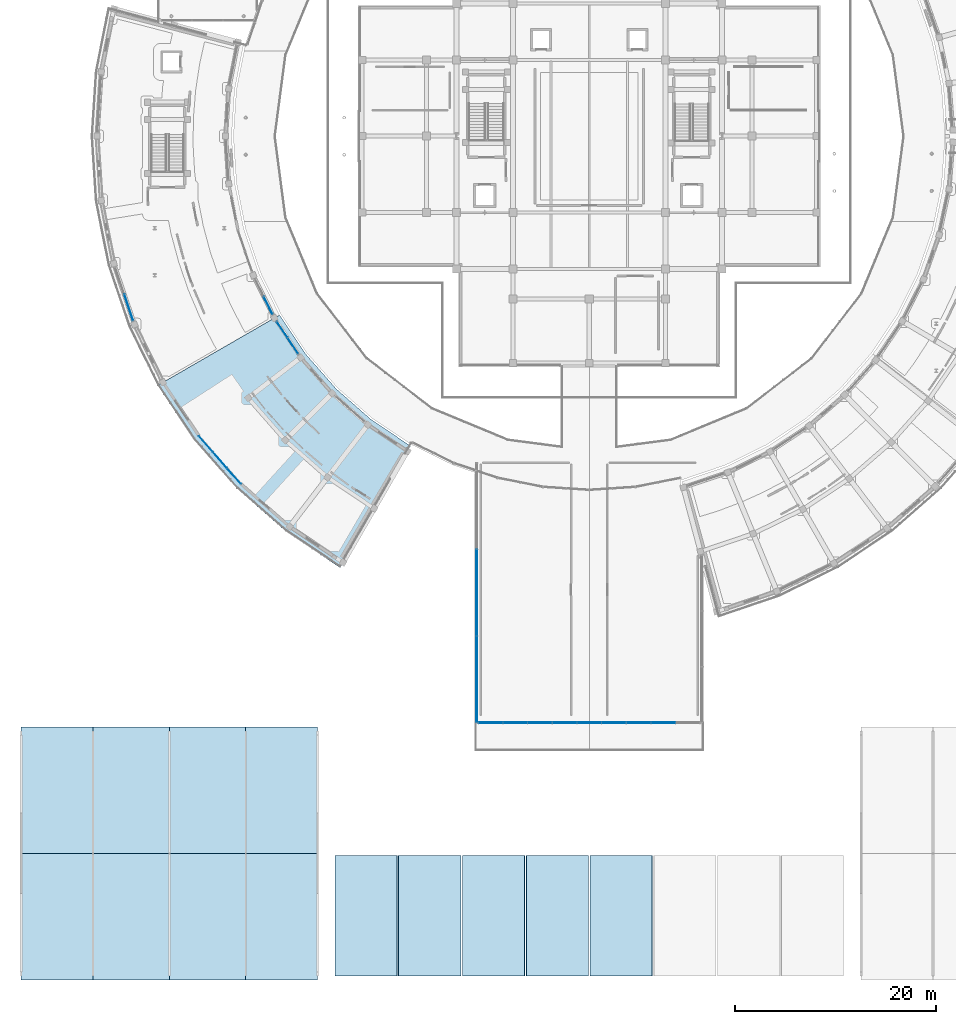
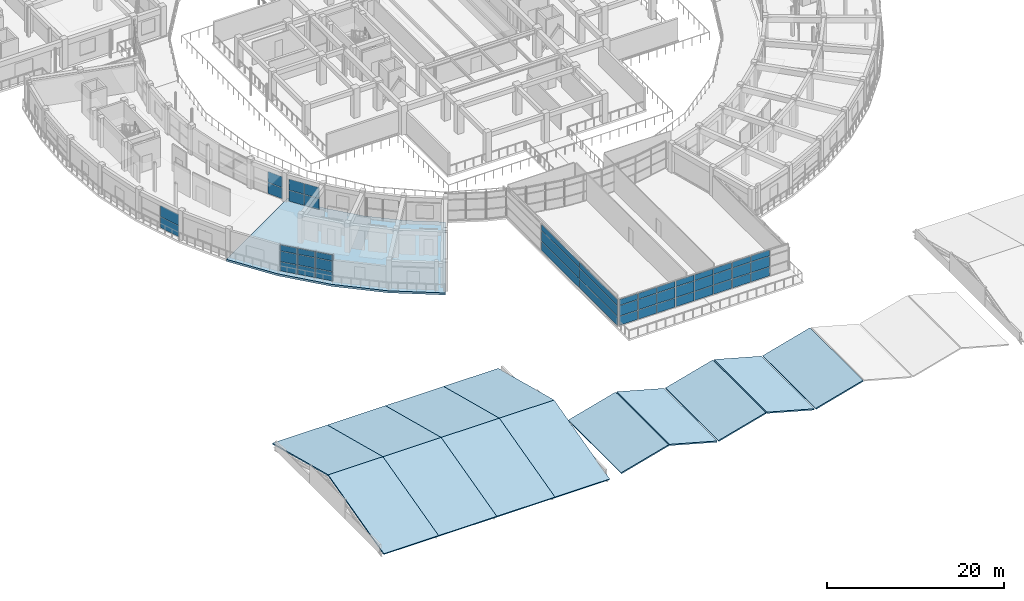
# One storey, part 44 of 83: 47 plates, 14 slabs, 8 elements without a shape of their own.
"""IFC4 building model written with IfcOpenShell, lengths in metres."""

from ifc_helpers import new_model, si_unit, direction, frame, origin, origin_2d, place, context, subcontext, project, spatial, polyline, rectangle, outline, extrude, material, layer, layer_set, type_object, element, aggregate, save


model = new_model("IFC4")

# Units and contexts
model_context = context("Model", 3, precision=1e-05, world=origin(), true_north=direction((0.0, 1.0)))
body_context = subcontext(model_context, "Body", "Model", "MODEL_VIEW")
ifc_project = project(units=[si_unit("LENGTHUNIT", "METRE"), si_unit("AREAUNIT", "SQUARE_METRE"), si_unit("VOLUMEUNIT", "CUBIC_METRE"), si_unit("PLANEANGLEUNIT", "RADIAN"), si_unit("MASSUNIT", "GRAM", prefix="KILO")], contexts=[model_context])

# Site, building, storey
site_placement = place(None, origin())
site = spatial("IfcSite", under=ifc_project, at=site_placement, CompositionType="ELEMENT")
building_placement = place(site_placement, origin())
building = spatial("IfcBuilding", under=site, at=building_placement, Name="Saryqyr Civic Hall", CompositionType="ELEMENT")
storey_placement = place(building_placement, frame((0.0, 0.0, 9.14990234375)))
storey = spatial("IfcBuildingStorey", under=building, at=storey_placement, Name="L02", CompositionType="ELEMENT", Elevation=9.14990234375)

# Curtain wall, plates
ifc_material_1 = material(Name="Anodised aluminium and triple low-E glass", Category="aluminium")
curtain_wall_type_1 = type_object("IfcCurtainWallType", Name="ENV-CW-STD-23", PredefinedType="NOTDEFINED", material=ifc_material_1)
curtain_wall_1_placement = place(storey_placement, origin())
curtain_wall_1 = element("IfcCurtainWall", 1, at=curtain_wall_1_placement, inside=storey, type_object=curtain_wall_type_1, Name="Curtain wall V4-CWO-L02-04", PredefinedType="NOTDEFINED")
ifc_material_2 = material(Name="Triple low-E insulated glazing", Category="glass")
ifc_layer_1 = layer(ifc_material_2, 0.053955078125, Name="Triple low-E insulated glazing")
ifc_layer_set_1 = layer_set([ifc_layer_1], Name="Triple low-E insulated glazing")
plate_type_1 = type_object("IfcPlateType", Name="ENV-CW-PNL-38", PredefinedType="CURTAIN_PANEL", material=ifc_layer_set_1)
plate_1_placement = place(storey_placement, frame((11.15234375, 66.949951171875, 0.06005859375), z_axis=(0.0, 0.0, 1.0), x_axis=(-0.321446589179, 0.946927711235, 0.0)))
plate_1 = element("IfcPlate", 2, at=plate_1_placement, type_object=plate_type_1, Name="CW-23 panel 1.1", PredefinedType="CURTAIN_PANEL", context=body_context, shape_type="SweptSolid", body=[
    extrude(rectangle(XDim=2.755615234375, YDim=0.053955078125, at=origin_2d()), origin(), (0.0, 0.0, 1.0), 1.491943359375),
])
plate_2_placement = place(storey_placement, frame((11.15234375, 66.949951171875, 1.6123046875), z_axis=(0.0, 0.0, 1.0), x_axis=(-0.321446589179, 0.946927711235, 0.0)))
plate_2 = element("IfcPlate", 3, at=plate_2_placement, type_object=plate_type_1, Name="CW-23 panel 1.2", PredefinedType="CURTAIN_PANEL", context=body_context, shape_type="SweptSolid", body=[
    extrude(rectangle(XDim=2.755615234375, YDim=0.053955078125, at=origin_2d()), origin(), (0.0, 0.0, 1.0), 1.492919921875),
])
aggregate(curtain_wall_1, [plate_1, plate_2])

curtain_wall_type_2 = type_object("IfcCurtainWallType", Name="ENV-CW-STD-21", PredefinedType="NOTDEFINED", material=ifc_material_1)
curtain_wall_2_placement = place(storey_placement, origin())
curtain_wall_2 = element("IfcCurtainWall", 4, at=curtain_wall_2_placement, inside=storey, type_object=curtain_wall_type_2, Name="Curtain wall V4-CWI-L02-05", PredefinedType="NOTDEFINED")
plate_3_placement = place(storey_placement, frame((25.035888671875, 67.145263671875, 0.06005859375), z_axis=(0.0, 0.0, 1.0), x_axis=(0.44226837931, -0.896882757479, 0.0)))
plate_3 = element("IfcPlate", 5, at=plate_3_placement, type_object=plate_type_1, Name="CW-21 panel 2.1", PredefinedType="CURTAIN_PANEL", context=body_context, shape_type="SweptSolid", body=[
    extrude(rectangle(XDim=1.8984375, YDim=0.053955078125, at=origin_2d()), origin(), (0.0, 0.0, 1.0), 1.491943359375),
])
plate_4_placement = place(storey_placement, frame((25.035888671875, 67.145263671875, 1.6123046875), z_axis=(0.0, 0.0, 1.0), x_axis=(0.44226837931, -0.896882757479, 0.0)))
plate_4 = element("IfcPlate", 6, at=plate_4_placement, type_object=plate_type_1, Name="CW-21 panel 2.2", PredefinedType="CURTAIN_PANEL", context=body_context, shape_type="SweptSolid", body=[
    extrude(rectangle(XDim=1.8984375, YDim=0.053955078125, at=origin_2d()), origin(), (0.0, 0.0, 1.0), 1.492919921875),
])
aggregate(curtain_wall_2, [plate_3, plate_4])

curtain_wall_type_3 = type_object("IfcCurtainWallType", Name="ENV-CW-STD-25", PredefinedType="NOTDEFINED", material=ifc_material_1)
curtain_wall_3_placement = place(storey_placement, origin())
curtain_wall_3 = element("IfcCurtainWall", 7, at=curtain_wall_3_placement, inside=storey, type_object=curtain_wall_type_3, Name="Curtain wall V4-CWI-L02-06", PredefinedType="NOTDEFINED")
plate_5_placement = place(storey_placement, frame((26.429443359375, 64.733154296875, 0.06005859375), z_axis=(0.0, 0.0, 1.0), x_axis=(0.555554091972, -0.831480397179, 0.0)))
plate_5 = element("IfcPlate", 8, at=plate_5_placement, type_object=plate_type_1, Name="CW-25 panel 1.1", PredefinedType="CURTAIN_PANEL", context=body_context, shape_type="SweptSolid", body=[
    extrude(rectangle(XDim=1.86865234375, YDim=0.053955078125, at=origin_2d()), origin(), (0.0, 0.0, 1.0), 1.491943359375),
])
plate_6_placement = place(storey_placement, frame((26.429443359375, 64.733154296875, 1.6123046875), z_axis=(0.0, 0.0, 1.0), x_axis=(0.555554091972, -0.831480397179, 0.0)))
plate_6 = element("IfcPlate", 9, at=plate_6_placement, type_object=plate_type_1, Name="CW-25 panel 1.2", PredefinedType="CURTAIN_PANEL", context=body_context, shape_type="SweptSolid", body=[
    extrude(rectangle(XDim=1.86865234375, YDim=0.053955078125, at=origin_2d()), origin(), (0.0, 0.0, 1.0), 1.492919921875),
])
plate_7_placement = place(storey_placement, frame((27.5009765625, 63.129638671875, 0.06005859375), z_axis=(0.0, 0.0, 1.0), x_axis=(0.555554091972, -0.831480397179, 0.0)))
plate_7 = element("IfcPlate", 10, at=plate_7_placement, type_object=plate_type_1, Name="CW-25 panel 2.1", PredefinedType="CURTAIN_PANEL", context=body_context, shape_type="SweptSolid", body=[
    extrude(rectangle(XDim=1.86865234375, YDim=0.053955078125, at=origin_2d()), origin(), (0.0, 0.0, 1.0), 1.491943359375),
])
plate_8_placement = place(storey_placement, frame((27.5009765625, 63.129638671875, 1.6123046875), z_axis=(0.0, 0.0, 1.0), x_axis=(0.555554091972, -0.831480397179, 0.0)))
plate_8 = element("IfcPlate", 11, at=plate_8_placement, type_object=plate_type_1, Name="CW-25 panel 2.2", PredefinedType="CURTAIN_PANEL", context=body_context, shape_type="SweptSolid", body=[
    extrude(rectangle(XDim=1.86865234375, YDim=0.053955078125, at=origin_2d()), origin(), (0.0, 0.0, 1.0), 1.492919921875),
])
aggregate(curtain_wall_3, [plate_5, plate_6, plate_7, plate_8])

curtain_wall_type_4 = type_object("IfcCurtainWallType", Name="ENV-CW-STD-26", PredefinedType="NOTDEFINED", material=ifc_material_1)
curtain_wall_4_placement = place(storey_placement, origin())
curtain_wall_4 = element("IfcCurtainWall", 12, at=curtain_wall_4_placement, inside=storey, type_object=curtain_wall_type_4, Name="Curtain wall V4-CWO-L02-07", PredefinedType="NOTDEFINED")
plate_9_placement = place(storey_placement, frame((21.637451171875, 50.166259765625, 0.06005859375), z_axis=(0.0, 0.0, 1.0), x_axis=(-0.659349177167, 0.751836859012, 0.0)))
plate_9 = element("IfcPlate", 13, at=plate_9_placement, type_object=plate_type_1, Name="CW-26 panel 1.1", PredefinedType="CURTAIN_PANEL", context=body_context, shape_type="SweptSolid", body=[
    extrude(rectangle(XDim=2.04638671875, YDim=0.053955078125, at=origin_2d()), origin(), (0.0, 0.0, 1.0), 1.241943359375),
])
plate_10_placement = place(storey_placement, frame((21.637451171875, 50.166259765625, 1.362060546875), z_axis=(0.0, 0.0, 1.0), x_axis=(-0.659349177167, 0.751836859012, 0.0)))
plate_10 = element("IfcPlate", 14, at=plate_10_placement, type_object=plate_type_1, Name="CW-26 panel 1.2", PredefinedType="CURTAIN_PANEL", context=body_context, shape_type="SweptSolid", body=[
    extrude(rectangle(XDim=2.04638671875, YDim=0.053955078125, at=origin_2d()), origin(), (0.0, 0.0, 1.0), 1.419921875),
])
plate_11_placement = place(storey_placement, frame((21.637451171875, 50.166259765625, 2.84228515625), z_axis=(0.0, 0.0, 1.0), x_axis=(-0.659349177167, 0.751836859012, 0.0)))
plate_11 = element("IfcPlate", 15, at=plate_11_placement, type_object=plate_type_1, Name="CW-26 panel 1.3", PredefinedType="CURTAIN_PANEL", context=body_context, shape_type="SweptSolid", body=[
    extrude(rectangle(XDim=2.04638671875, YDim=0.053955078125, at=origin_2d()), origin(), (0.0, 0.0, 1.0), 0.798095703125),
])
plate_12_placement = place(storey_placement, frame((20.23876953125, 51.76123046875, 0.06005859375), z_axis=(0.0, 0.0, 1.0), x_axis=(-0.659349177167, 0.751836859012, 0.0)))
plate_12 = element("IfcPlate", 16, at=plate_12_placement, type_object=plate_type_1, Name="CW-26 panel 2.1", PredefinedType="CURTAIN_PANEL", context=body_context, shape_type="SweptSolid", body=[
    extrude(rectangle(XDim=2.076416015625, YDim=0.053955078125, at=origin_2d()), origin(), (0.0, 0.0, 1.0), 1.241943359375),
])
plate_13_placement = place(storey_placement, frame((20.23876953125, 51.76123046875, 1.362060546875), z_axis=(0.0, 0.0, 1.0), x_axis=(-0.659349177167, 0.751836859012, 0.0)))
plate_13 = element("IfcPlate", 17, at=plate_13_placement, type_object=plate_type_1, Name="CW-26 panel 2.2", PredefinedType="CURTAIN_PANEL", context=body_context, shape_type="SweptSolid", body=[
    extrude(rectangle(XDim=2.076416015625, YDim=0.053955078125, at=origin_2d()), origin(), (0.0, 0.0, 1.0), 1.419921875),
])
plate_14_placement = place(storey_placement, frame((20.23876953125, 51.76123046875, 2.84228515625), z_axis=(0.0, 0.0, 1.0), x_axis=(-0.659349177167, 0.751836859012, 0.0)))
plate_14 = element("IfcPlate", 18, at=plate_14_placement, type_object=plate_type_1, Name="CW-26 panel 2.3", PredefinedType="CURTAIN_PANEL", context=body_context, shape_type="SweptSolid", body=[
    extrude(rectangle(XDim=2.076416015625, YDim=0.053955078125, at=origin_2d()), origin(), (0.0, 0.0, 1.0), 0.798095703125),
])
plate_15_placement = place(storey_placement, frame((18.83984375, 53.356201171875, 0.06005859375), z_axis=(0.0, 0.0, 1.0), x_axis=(-0.659349177167, 0.751836859012, 0.0)))
plate_15 = element("IfcPlate", 19, at=plate_15_placement, type_object=plate_type_1, Name="CW-26 panel 3.1", PredefinedType="CURTAIN_PANEL", context=body_context, shape_type="SweptSolid", body=[
    extrude(rectangle(XDim=2.04638671875, YDim=0.053955078125, at=origin_2d()), origin(), (0.0, 0.0, 1.0), 1.241943359375),
])
plate_16_placement = place(storey_placement, frame((18.83984375, 53.356201171875, 1.362060546875), z_axis=(0.0, 0.0, 1.0), x_axis=(-0.659349177167, 0.751836859012, 0.0)))
plate_16 = element("IfcPlate", 20, at=plate_16_placement, type_object=plate_type_1, Name="CW-26 panel 3.2", PredefinedType="CURTAIN_PANEL", context=body_context, shape_type="SweptSolid", body=[
    extrude(rectangle(XDim=2.04638671875, YDim=0.053955078125, at=origin_2d()), origin(), (0.0, 0.0, 1.0), 1.419921875),
])
plate_17_placement = place(storey_placement, frame((18.83984375, 53.356201171875, 2.84228515625), z_axis=(0.0, 0.0, 1.0), x_axis=(-0.659349177167, 0.751836859012, 0.0)))
plate_17 = element("IfcPlate", 21, at=plate_17_placement, type_object=plate_type_1, Name="CW-26 panel 3.3", PredefinedType="CURTAIN_PANEL", context=body_context, shape_type="SweptSolid", body=[
    extrude(rectangle(XDim=2.04638671875, YDim=0.053955078125, at=origin_2d()), origin(), (0.0, 0.0, 1.0), 0.798095703125),
])
aggregate(curtain_wall_4, [plate_9, plate_10, plate_11, plate_12, plate_13, plate_14, plate_15, plate_16, plate_17])

curtain_wall_type_5 = type_object("IfcCurtainWallType", Name="ENV-CW-STD-70", PredefinedType="NOTDEFINED", material=ifc_material_1)
curtain_wall_5_placement = place(storey_placement, origin())
curtain_wall_5 = element("IfcCurtainWall", 22, at=curtain_wall_5_placement, inside=storey, type_object=curtain_wall_type_5, Name="Curtain wall V2-VESTFLK-SW-L02", PredefinedType="NOTDEFINED")
plate_18_placement = place(storey_placement, frame((45.800048828125, 29.93994140625, 0.06005859375), z_axis=(0.0, 0.0, 1.0), x_axis=(0.0, 1.0, 0.0)))
plate_18 = element("IfcPlate", 23, at=plate_18_placement, type_object=plate_type_1, Name="CW-70 panel 1.1", PredefinedType="CURTAIN_PANEL", context=body_context, shape_type="SweptSolid", body=[
    extrude(rectangle(XDim=8.5400390625, YDim=0.053955078125, at=origin_2d()), origin(), (0.0, 0.0, 1.0), 1.241943359375),
])
plate_19_placement = place(storey_placement, frame((45.800048828125, 29.93994140625, 1.362060546875), z_axis=(0.0, 0.0, 1.0), x_axis=(0.0, 1.0, 0.0)))
plate_19 = element("IfcPlate", 24, at=plate_19_placement, type_object=plate_type_1, Name="CW-70 panel 1.2", PredefinedType="CURTAIN_PANEL", context=body_context, shape_type="SweptSolid", body=[
    extrude(rectangle(XDim=8.5400390625, YDim=0.053955078125, at=origin_2d()), origin(), (0.0, 0.0, 1.0), 1.419921875),
])
plate_20_placement = place(storey_placement, frame((45.800048828125, 29.93994140625, 2.84228515625), z_axis=(0.0, 0.0, 1.0), x_axis=(0.0, 1.0, 0.0)))
plate_20 = element("IfcPlate", 25, at=plate_20_placement, type_object=plate_type_1, Name="CW-70 panel 1.3", PredefinedType="CURTAIN_PANEL", context=body_context, shape_type="SweptSolid", body=[
    extrude(rectangle(XDim=8.5400390625, YDim=0.053955078125, at=origin_2d()), origin(), (0.0, 0.0, 1.0), 0.798095703125),
])
plate_21_placement = place(storey_placement, frame((45.800048828125, 38.554931640625, 0.06005859375), z_axis=(0.0, 0.0, 1.0), x_axis=(0.0, 1.0, 0.0)))
plate_21 = element("IfcPlate", 26, at=plate_21_placement, type_object=plate_type_1, Name="CW-70 panel 2.1", PredefinedType="CURTAIN_PANEL", context=body_context, shape_type="SweptSolid", body=[
    extrude(rectangle(XDim=8.570068359375, YDim=0.053955078125, at=origin_2d()), origin(), (0.0, 0.0, 1.0), 1.241943359375),
])
plate_22_placement = place(storey_placement, frame((45.800048828125, 38.554931640625, 1.362060546875), z_axis=(0.0, 0.0, 1.0), x_axis=(0.0, 1.0, 0.0)))
plate_22 = element("IfcPlate", 27, at=plate_22_placement, type_object=plate_type_1, Name="CW-70 panel 2.2", PredefinedType="CURTAIN_PANEL", context=body_context, shape_type="SweptSolid", body=[
    extrude(rectangle(XDim=8.570068359375, YDim=0.053955078125, at=origin_2d()), origin(), (0.0, 0.0, 1.0), 1.419921875),
])
plate_23_placement = place(storey_placement, frame((45.800048828125, 38.554931640625, 2.84228515625), z_axis=(0.0, 0.0, 1.0), x_axis=(0.0, 1.0, 0.0)))
plate_23 = element("IfcPlate", 28, at=plate_23_placement, type_object=plate_type_1, Name="CW-70 panel 2.3", PredefinedType="CURTAIN_PANEL", context=body_context, shape_type="SweptSolid", body=[
    extrude(rectangle(XDim=8.570068359375, YDim=0.053955078125, at=origin_2d()), origin(), (0.0, 0.0, 1.0), 0.798095703125),
])
aggregate(curtain_wall_5, [plate_18, plate_19, plate_20, plate_21, plate_22, plate_23])

curtain_wall_type_6 = type_object("IfcCurtainWallType", Name="ENV-CW-HVY-69", PredefinedType="NOTDEFINED", material=ifc_material_1)
curtain_wall_6_placement = place(storey_placement, origin())
curtain_wall_6 = element("IfcCurtainWall", 29, at=curtain_wall_6_placement, inside=storey, type_object=curtain_wall_type_6, Name="Curtain wall V2-PORTAL-CW-S-L02-0", PredefinedType="NOTDEFINED")
ifc_material_3 = material(Name="Acoustic laminated low-E glazing", Category="glass")
ifc_layer_2 = layer(ifc_material_3, 0.072021484375, Name="Acoustic laminated low-E glazing")
ifc_layer_set_2 = layer_set([ifc_layer_2], Name="Acoustic laminated low-E glazing")
plate_type_2 = type_object("IfcPlateType", Name="ENV-CW-PNL-52", PredefinedType="CURTAIN_PANEL", material=ifc_layer_set_2)
plate_24_placement = place(storey_placement, frame((52.071533203125, 25.610107421875, 0.070068359375), z_axis=(0.0, 0.0, 1.0), x_axis=(-1.0, 0.0, 0.0)))
plate_24 = element("IfcPlate", 30, at=plate_24_placement, type_object=plate_type_2, Name="CW-69 panel 1.1", PredefinedType="CURTAIN_PANEL", context=body_context, shape_type="SweptSolid", body=[
    extrude(rectangle(XDim=2.3505859375, YDim=0.072021484375, at=origin_2d()), origin(), (0.0, 0.0, 1.0), 1.22705078125),
])
plate_25_placement = place(storey_placement, frame((52.071533203125, 25.610107421875, 1.3671875), z_axis=(0.0, 0.0, 1.0), x_axis=(-1.0, 0.0, 0.0)))
plate_25 = element("IfcPlate", 31, at=plate_25_placement, type_object=plate_type_2, Name="CW-69 panel 1.2", PredefinedType="CURTAIN_PANEL", context=body_context, shape_type="SweptSolid", body=[
    extrude(rectangle(XDim=2.3505859375, YDim=0.072021484375, at=origin_2d()), origin(), (0.0, 0.0, 1.0), 1.409912109375),
])
plate_26_placement = place(storey_placement, frame((52.071533203125, 25.610107421875, 2.84716796875), z_axis=(0.0, 0.0, 1.0), x_axis=(-1.0, 0.0, 0.0)))
plate_26 = element("IfcPlate", 32, at=plate_26_placement, type_object=plate_type_2, Name="CW-69 panel 1.3", PredefinedType="CURTAIN_PANEL", context=body_context, shape_type="SweptSolid", body=[
    extrude(rectangle(XDim=2.3505859375, YDim=0.072021484375, at=origin_2d()), origin(), (0.0, 0.0, 1.0), 0.782958984375),
])
plate_27_placement = place(storey_placement, frame((49.63330078125, 25.610107421875, 0.070068359375), z_axis=(0.0, 0.0, 1.0), x_axis=(-1.0, 0.0, 0.0)))
plate_27 = element("IfcPlate", 33, at=plate_27_placement, type_object=plate_type_2, Name="CW-69 panel 2.1", PredefinedType="CURTAIN_PANEL", context=body_context, shape_type="SweptSolid", body=[
    extrude(rectangle(XDim=2.385498046875, YDim=0.072021484375, at=origin_2d()), origin(), (0.0, 0.0, 1.0), 1.22705078125),
])
plate_28_placement = place(storey_placement, frame((49.63330078125, 25.610107421875, 1.3671875), z_axis=(0.0, 0.0, 1.0), x_axis=(-1.0, 0.0, 0.0)))
plate_28 = element("IfcPlate", 34, at=plate_28_placement, type_object=plate_type_2, Name="CW-69 panel 2.2", PredefinedType="CURTAIN_PANEL", context=body_context, shape_type="SweptSolid", body=[
    extrude(rectangle(XDim=2.385498046875, YDim=0.072021484375, at=origin_2d()), origin(), (0.0, 0.0, 1.0), 1.409912109375),
])
plate_29_placement = place(storey_placement, frame((49.63330078125, 25.610107421875, 2.84716796875), z_axis=(0.0, 0.0, 1.0), x_axis=(-1.0, 0.0, 0.0)))
plate_29 = element("IfcPlate", 35, at=plate_29_placement, type_object=plate_type_2, Name="CW-69 panel 2.3", PredefinedType="CURTAIN_PANEL", context=body_context, shape_type="SweptSolid", body=[
    extrude(rectangle(XDim=2.385498046875, YDim=0.072021484375, at=origin_2d()), origin(), (0.0, 0.0, 1.0), 0.782958984375),
])
plate_30_placement = place(storey_placement, frame((47.1953125, 25.610107421875, 0.070068359375), z_axis=(0.0, 0.0, 1.0), x_axis=(-1.0, 0.0, 0.0)))
plate_30 = element("IfcPlate", 36, at=plate_30_placement, type_object=plate_type_2, Name="CW-69 panel 3.1", PredefinedType="CURTAIN_PANEL", context=body_context, shape_type="SweptSolid", body=[
    extrude(rectangle(XDim=2.3505859375, YDim=0.072021484375, at=origin_2d()), origin(), (0.0, 0.0, 1.0), 1.22705078125),
])
plate_31_placement = place(storey_placement, frame((47.1953125, 25.610107421875, 1.3671875), z_axis=(0.0, 0.0, 1.0), x_axis=(-1.0, 0.0, 0.0)))
plate_31 = element("IfcPlate", 37, at=plate_31_placement, type_object=plate_type_2, Name="CW-69 panel 3.2", PredefinedType="CURTAIN_PANEL", context=body_context, shape_type="SweptSolid", body=[
    extrude(rectangle(XDim=2.3505859375, YDim=0.072021484375, at=origin_2d()), origin(), (0.0, 0.0, 1.0), 1.409912109375),
])
plate_32_placement = place(storey_placement, frame((47.1953125, 25.610107421875, 2.84716796875), z_axis=(0.0, 0.0, 1.0), x_axis=(-1.0, 0.0, 0.0)))
plate_32 = element("IfcPlate", 38, at=plate_32_placement, type_object=plate_type_2, Name="CW-69 panel 3.3", PredefinedType="CURTAIN_PANEL", context=body_context, shape_type="SweptSolid", body=[
    extrude(rectangle(XDim=2.3505859375, YDim=0.072021484375, at=origin_2d()), origin(), (0.0, 0.0, 1.0), 0.782958984375),
])
aggregate(curtain_wall_6, [plate_24, plate_25, plate_26, plate_27, plate_28, plate_29, plate_30, plate_31, plate_32])

curtain_wall_7_placement = place(storey_placement, origin())
curtain_wall_7 = element("IfcCurtainWall", 39, at=curtain_wall_7_placement, inside=storey, type_object=curtain_wall_type_6, Name="Curtain wall V2-PORTAL-CW-S-L02-1", PredefinedType="NOTDEFINED")
plate_33_placement = place(storey_placement, frame((59.43798828125, 25.610107421875, 0.070068359375), z_axis=(0.0, 0.0, 1.0), x_axis=(-1.0, 0.0, 0.0)))
plate_33 = element("IfcPlate", 40, at=plate_33_placement, type_object=plate_type_2, Name="CW-69 panel 1.1", PredefinedType="CURTAIN_PANEL", context=body_context, shape_type="SweptSolid", body=[
    extrude(rectangle(XDim=2.3505859375, YDim=0.072021484375, at=origin_2d()), origin(), (0.0, 0.0, 1.0), 1.22705078125),
])
plate_34_placement = place(storey_placement, frame((59.43798828125, 25.610107421875, 1.3671875), z_axis=(0.0, 0.0, 1.0), x_axis=(-1.0, 0.0, 0.0)))
plate_34 = element("IfcPlate", 41, at=plate_34_placement, type_object=plate_type_2, Name="CW-69 panel 1.2", PredefinedType="CURTAIN_PANEL", context=body_context, shape_type="SweptSolid", body=[
    extrude(rectangle(XDim=2.3505859375, YDim=0.072021484375, at=origin_2d()), origin(), (0.0, 0.0, 1.0), 1.409912109375),
])
plate_35_placement = place(storey_placement, frame((59.43798828125, 25.610107421875, 2.84716796875), z_axis=(0.0, 0.0, 1.0), x_axis=(-1.0, 0.0, 0.0)))
plate_35 = element("IfcPlate", 42, at=plate_35_placement, type_object=plate_type_2, Name="CW-69 panel 1.3", PredefinedType="CURTAIN_PANEL", context=body_context, shape_type="SweptSolid", body=[
    extrude(rectangle(XDim=2.3505859375, YDim=0.072021484375, at=origin_2d()), origin(), (0.0, 0.0, 1.0), 0.782958984375),
])
plate_36_placement = place(storey_placement, frame((57.0, 25.610107421875, 0.070068359375), z_axis=(0.0, 0.0, 1.0), x_axis=(-1.0, 0.0, 0.0)))
plate_36 = element("IfcPlate", 43, at=plate_36_placement, type_object=plate_type_2, Name="CW-69 panel 2.1", PredefinedType="CURTAIN_PANEL", context=body_context, shape_type="SweptSolid", body=[
    extrude(rectangle(XDim=2.385498046875, YDim=0.072021484375, at=origin_2d()), origin(), (0.0, 0.0, 1.0), 1.22705078125),
])
plate_37_placement = place(storey_placement, frame((57.0, 25.610107421875, 1.3671875), z_axis=(0.0, 0.0, 1.0), x_axis=(-1.0, 0.0, 0.0)))
plate_37 = element("IfcPlate", 44, at=plate_37_placement, type_object=plate_type_2, Name="CW-69 panel 2.2", PredefinedType="CURTAIN_PANEL", context=body_context, shape_type="SweptSolid", body=[
    extrude(rectangle(XDim=2.385498046875, YDim=0.072021484375, at=origin_2d()), origin(), (0.0, 0.0, 1.0), 1.409912109375),
])
plate_38_placement = place(storey_placement, frame((57.0, 25.610107421875, 2.84716796875), z_axis=(0.0, 0.0, 1.0), x_axis=(-1.0, 0.0, 0.0)))
plate_38 = element("IfcPlate", 45, at=plate_38_placement, type_object=plate_type_2, Name="CW-69 panel 2.3", PredefinedType="CURTAIN_PANEL", context=body_context, shape_type="SweptSolid", body=[
    extrude(rectangle(XDim=2.385498046875, YDim=0.072021484375, at=origin_2d()), origin(), (0.0, 0.0, 1.0), 0.782958984375),
])
plate_39_placement = place(storey_placement, frame((54.56201171875, 25.610107421875, 0.070068359375), z_axis=(0.0, 0.0, 1.0), x_axis=(-1.0, 0.0, 0.0)))
plate_39 = element("IfcPlate", 46, at=plate_39_placement, type_object=plate_type_2, Name="CW-69 panel 3.1", PredefinedType="CURTAIN_PANEL", context=body_context, shape_type="SweptSolid", body=[
    extrude(rectangle(XDim=2.3505859375, YDim=0.072021484375, at=origin_2d()), origin(), (0.0, 0.0, 1.0), 1.22705078125),
])
plate_40_placement = place(storey_placement, frame((54.56201171875, 25.610107421875, 1.3671875), z_axis=(0.0, 0.0, 1.0), x_axis=(-1.0, 0.0, 0.0)))
plate_40 = element("IfcPlate", 47, at=plate_40_placement, type_object=plate_type_2, Name="CW-69 panel 3.2", PredefinedType="CURTAIN_PANEL", context=body_context, shape_type="SweptSolid", body=[
    extrude(rectangle(XDim=2.3505859375, YDim=0.072021484375, at=origin_2d()), origin(), (0.0, 0.0, 1.0), 1.409912109375),
])
plate_41_placement = place(storey_placement, frame((54.56201171875, 25.610107421875, 2.84716796875), z_axis=(0.0, 0.0, 1.0), x_axis=(-1.0, 0.0, 0.0)))
plate_41 = element("IfcPlate", 48, at=plate_41_placement, type_object=plate_type_2, Name="CW-69 panel 3.3", PredefinedType="CURTAIN_PANEL", context=body_context, shape_type="SweptSolid", body=[
    extrude(rectangle(XDim=2.3505859375, YDim=0.072021484375, at=origin_2d()), origin(), (0.0, 0.0, 1.0), 0.782958984375),
])
aggregate(curtain_wall_7, [plate_33, plate_34, plate_35, plate_36, plate_37, plate_38, plate_39, plate_40, plate_41])

curtain_wall_8_placement = place(storey_placement, origin())
curtain_wall_8 = element("IfcCurtainWall", 49, at=curtain_wall_8_placement, inside=storey, type_object=curtain_wall_type_6, Name="Curtain wall V2-PORTAL-CW-S-L02-2", PredefinedType="NOTDEFINED")
plate_42_placement = place(storey_placement, frame((64.36669921875, 25.610107421875, 0.070068359375), z_axis=(0.0, 0.0, 1.0), x_axis=(-1.0, 0.0, 0.0)))
plate_42 = element("IfcPlate", 50, at=plate_42_placement, type_object=plate_type_2, Name="CW-69 panel 2.1", PredefinedType="CURTAIN_PANEL", context=body_context, shape_type="SweptSolid", body=[
    extrude(rectangle(XDim=2.385498046875, YDim=0.072021484375, at=origin_2d()), origin(), (0.0, 0.0, 1.0), 1.22705078125),
])
plate_43_placement = place(storey_placement, frame((64.36669921875, 25.610107421875, 1.3671875), z_axis=(0.0, 0.0, 1.0), x_axis=(-1.0, 0.0, 0.0)))
plate_43 = element("IfcPlate", 51, at=plate_43_placement, type_object=plate_type_2, Name="CW-69 panel 2.2", PredefinedType="CURTAIN_PANEL", context=body_context, shape_type="SweptSolid", body=[
    extrude(rectangle(XDim=2.385498046875, YDim=0.072021484375, at=origin_2d()), origin(), (0.0, 0.0, 1.0), 1.409912109375),
])
plate_44_placement = place(storey_placement, frame((64.36669921875, 25.610107421875, 2.84716796875), z_axis=(0.0, 0.0, 1.0), x_axis=(-1.0, 0.0, 0.0)))
plate_44 = element("IfcPlate", 52, at=plate_44_placement, type_object=plate_type_2, Name="CW-69 panel 2.3", PredefinedType="CURTAIN_PANEL", context=body_context, shape_type="SweptSolid", body=[
    extrude(rectangle(XDim=2.385498046875, YDim=0.072021484375, at=origin_2d()), origin(), (0.0, 0.0, 1.0), 0.782958984375),
])
plate_45_placement = place(storey_placement, frame((61.928466796875, 25.610107421875, 0.070068359375), z_axis=(0.0, 0.0, 1.0), x_axis=(-1.0, 0.0, 0.0)))
plate_45 = element("IfcPlate", 53, at=plate_45_placement, type_object=plate_type_2, Name="CW-69 panel 3.1", PredefinedType="CURTAIN_PANEL", context=body_context, shape_type="SweptSolid", body=[
    extrude(rectangle(XDim=2.3505859375, YDim=0.072021484375, at=origin_2d()), origin(), (0.0, 0.0, 1.0), 1.22705078125),
])
plate_46_placement = place(storey_placement, frame((61.928466796875, 25.610107421875, 1.3671875), z_axis=(0.0, 0.0, 1.0), x_axis=(-1.0, 0.0, 0.0)))
plate_46 = element("IfcPlate", 54, at=plate_46_placement, type_object=plate_type_2, Name="CW-69 panel 3.2", PredefinedType="CURTAIN_PANEL", context=body_context, shape_type="SweptSolid", body=[
    extrude(rectangle(XDim=2.3505859375, YDim=0.072021484375, at=origin_2d()), origin(), (0.0, 0.0, 1.0), 1.409912109375),
])
plate_47_placement = place(storey_placement, frame((61.928466796875, 25.610107421875, 2.84716796875), z_axis=(0.0, 0.0, 1.0), x_axis=(-1.0, 0.0, 0.0)))
plate_47 = element("IfcPlate", 55, at=plate_47_placement, type_object=plate_type_2, Name="CW-69 panel 3.3", PredefinedType="CURTAIN_PANEL", context=body_context, shape_type="SweptSolid", body=[
    extrude(rectangle(XDim=2.3505859375, YDim=0.072021484375, at=origin_2d()), origin(), (0.0, 0.0, 1.0), 0.782958984375),
])
aggregate(curtain_wall_8, [plate_42, plate_43, plate_44, plate_45, plate_46, plate_47])

# Slabs
ifc_material_4 = material(Name="Concrete C35/45", Category="concrete")
ifc_layer_3 = layer(ifc_material_4, 0.280029296875, Name="Concrete C35/45")
ifc_layer_set_3 = layer_set([ifc_layer_3], Name="Concrete C35/45")
slab_type_1 = type_object("IfcSlabType", Name="STR-SLB-FLR-280", PredefinedType="FLOOR", material=ifc_layer_set_3)
slab_1_placement = place(storey_placement, frame((0.0, 0.0, -0.27978515625)))
element("IfcSlab", 56, at=slab_1_placement, inside=storey, type_object=slab_type_1, Name="Slab SLB-V4B-L02", PredefinedType="FLOOR", context=body_context, shape_type="SweptSolid", body=[
    extrude(outline(polyline([(28.756591796875, 62.328125), (31.826904296875, 58.826904296875), (35.328125, 55.756591796875), (39.199951171875, 53.16943359375), (32.199951171875, 41.045166015625), (26.805419921875, 44.649658203125), (21.927490234375, 48.927490234375), (17.649658203125, 53.805419921875), (14.045166015625, 59.199951171875), (26.16943359375, 66.199951171875), (28.756591796875, 62.328125)])), origin(), (0.0, 0.0, 1.0), 0.27978515625),
])
ifc_material_5 = material(Name="Precast concrete C40/50", Category="concrete")
ifc_layer_4 = layer(ifc_material_5, 0.169921875, Name="Precast concrete C40/50")
ifc_layer_set_4 = layer_set([ifc_layer_4], Name="Precast concrete C40/50")
slab_type_2 = type_object("IfcSlabType", Name="STR-SLB-ROOF-170", PredefinedType="ROOF", material=ifc_layer_set_4)
slab_2_placement = place(storey_placement, frame((0.449951171875, 0.0, 0.0), z_axis=(0.0, -0.250164532687, 0.968203339483), x_axis=(1.0, 0.0, 0.0)))
element("IfcSlab", 57, at=slab_2_placement, inside=storey, type_object=slab_type_2, Name="V7W-RSLB-S1", PredefinedType="ROOF", context=body_context, shape_type="SweptSolid", body=[
    extrude(outline(polyline([(0.0, 0.0), (7.150146484375, 0.0), (7.150146484375, 13.013896092305767), (0.0, 13.013896092305767), (0.0, 0.0)])), origin(), (0.0, 0.0, -1.0), 0.169921875),
])
slab_3_placement = place(storey_placement, frame((7.60009765625, 25.199951171875, 0.0), z_axis=(0.0, 0.250169076628, 0.968202165407), x_axis=(-1.0, 0.0, 0.0)))
element("IfcSlab", 58, at=slab_3_placement, inside=storey, type_object=slab_type_2, Name="V7W-RSLB-N1", PredefinedType="ROOF", context=body_context, shape_type="SweptSolid", body=[
    extrude(outline(polyline([(0.0, 0.0), (7.150146484375, 0.0), (7.150146484375, 13.013659714680658), (0.0, 13.013659714680658), (0.0, 0.0)])), origin(), (0.0, 0.0, -1.0), 0.169921875),
])
slab_4_placement = place(storey_placement, frame((7.60009765625, 0.0, 0.0), z_axis=(0.0, -0.250164532687, 0.968203339483), x_axis=(1.0, 0.0, 0.0)))
element("IfcSlab", 59, at=slab_4_placement, inside=storey, type_object=slab_type_2, Name="V7W-RSLB-S2", PredefinedType="ROOF", context=body_context, shape_type="SweptSolid", body=[
    extrude(outline(polyline([(0.0, 0.0), (7.599853515625, 0.0), (7.599853515625, 13.013896092305767), (0.0, 13.013896092305767), (0.0, 0.0)])), origin(), (0.0, 0.0, -1.0), 0.169921875),
])
slab_5_placement = place(storey_placement, frame((15.199951171875, 25.199951171875, 0.0), z_axis=(0.0, 0.250169076628, 0.968202165407), x_axis=(-1.0, 0.0, 0.0)))
element("IfcSlab", 60, at=slab_5_placement, inside=storey, type_object=slab_type_2, Name="V7W-RSLB-N2", PredefinedType="ROOF", context=body_context, shape_type="SweptSolid", body=[
    extrude(outline(polyline([(0.0, 0.0), (7.599853515625, 0.0), (7.599853515625, 13.013659714680658), (0.0, 13.013659714680658), (0.0, 0.0)])), origin(), (0.0, 0.0, -1.0), 0.169921875),
])
slab_6_placement = place(storey_placement, frame((15.199951171875, 0.0, 0.0), z_axis=(0.0, -0.250164532687, 0.968203339483), x_axis=(1.0, 0.0, 0.0)))
element("IfcSlab", 61, at=slab_6_placement, inside=storey, type_object=slab_type_2, Name="V7W-RSLB-S3", PredefinedType="ROOF", context=body_context, shape_type="SweptSolid", body=[
    extrude(outline(polyline([(0.0, 0.0), (7.60009765625, 0.0), (7.60009765625, 13.013896092305767), (0.0, 13.013896092305767), (0.0, 0.0)])), origin(), (0.0, 0.0, -1.0), 0.169921875),
])
slab_7_placement = place(storey_placement, frame((22.800048828125, 25.199951171875, 0.0), z_axis=(0.0, 0.250169076628, 0.968202165407), x_axis=(-1.0, 0.0, 0.0)))
element("IfcSlab", 62, at=slab_7_placement, inside=storey, type_object=slab_type_2, Name="V7W-RSLB-N3", PredefinedType="ROOF", context=body_context, shape_type="SweptSolid", body=[
    extrude(outline(polyline([(0.0, 0.0), (7.60009765625, 0.0), (7.60009765625, 13.013659714680658), (0.0, 13.013659714680658), (0.0, 0.0)])), origin(), (0.0, 0.0, -1.0), 0.169921875),
])
slab_8_placement = place(storey_placement, frame((22.800048828125, 0.0, 0.0), z_axis=(0.0, -0.250164532687, 0.968203339483), x_axis=(1.0, 0.0, 0.0)))
element("IfcSlab", 63, at=slab_8_placement, inside=storey, type_object=slab_type_2, Name="V7W-RSLB-S4", PredefinedType="ROOF", context=body_context, shape_type="SweptSolid", body=[
    extrude(outline(polyline([(0.0, 0.0), (7.14990234375, 0.0), (7.14990234375, 13.013896092305767), (0.0, 13.013896092305767), (0.0, 0.0)])), origin(), (0.0, 0.0, -1.0), 0.169921875),
])
slab_9_placement = place(storey_placement, frame((29.949951171875, 25.199951171875, 0.0), z_axis=(0.0, 0.250169076628, 0.968202165407), x_axis=(-1.0, 0.0, 0.0)))
element("IfcSlab", 64, at=slab_9_placement, inside=storey, type_object=slab_type_2, Name="V7W-RSLB-N4", PredefinedType="ROOF", context=body_context, shape_type="SweptSolid", body=[
    extrude(outline(polyline([(0.0, 0.0), (7.14990234375, 0.0), (7.14990234375, 13.013659714680658), (0.0, 13.013659714680658), (0.0, 0.0)])), origin(), (0.0, 0.0, -1.0), 0.169921875),
])
slab_10_placement = place(storey_placement, frame((31.679931640625, 0.39990234375, 0.0), z_axis=(-0.265063673698, 0.0, 0.964230910563), x_axis=(0.964230910563, 0.0, 0.265063673698)))
element("IfcSlab", 65, at=slab_10_placement, inside=storey, type_object=slab_type_2, Name="V7C-CSLB-1", PredefinedType="ROOF", context=body_context, shape_type="SweptSolid", body=[
    extrude(outline(polyline([(0.0, 0.0), (6.4198165388201645, 0.0), (6.4198165388201645, 12.0), (0.0, 12.0), (0.0, 0.0)])), origin(), (0.0, 0.0, -1.0), 0.169921875),
])
slab_11_placement = place(storey_placement, frame((38.030029296875, 0.39990234375, 1.70166015625), z_axis=(0.265073393648, 0.0, 0.964228238531), x_axis=(0.964228238531, 0.0, -0.265073393648)))
element("IfcSlab", 66, at=slab_11_placement, inside=storey, type_object=slab_type_2, Name="V7C-CSLB-2", PredefinedType="ROOF", context=body_context, shape_type="SweptSolid", body=[
    extrude(outline(polyline([(0.0, 0.0), (6.419581131209186, 0.0), (6.419581131209186, 12.0), (0.0, 12.0), (0.0, 0.0)])), origin(), (0.0, 0.0, -1.0), 0.169921875),
])
slab_12_placement = place(storey_placement, frame((44.3798828125, 0.39990234375, 0.0), z_axis=(-0.265063673698, 0.0, 0.964230910563), x_axis=(0.964230910563, 0.0, 0.265063673698)))
element("IfcSlab", 67, at=slab_12_placement, inside=storey, type_object=slab_type_2, Name="V7C-CSLB-3", PredefinedType="ROOF", context=body_context, shape_type="SweptSolid", body=[
    extrude(outline(polyline([(0.0, 0.0), (6.4198165388201645, 0.0), (6.4198165388201645, 12.0), (0.0, 12.0), (0.0, 0.0)])), origin(), (0.0, 0.0, -1.0), 0.169921875),
])
for number, where, z_axis, x_axis, name in (
    (68, (50.72998046875, 0.39990234375, 1.70166015625), (0.265073393648, 0.0, 0.964228238531), (0.964228238531, 0.0, -0.265073393648), "V7C-CSLB-4"),
    (69, (57.080078125, 0.39990234375, 0.0), (-0.265073393648, 0.0, 0.964228238531), (0.964228238531, 0.0, 0.265073393648), "V7C-CSLB-5"),
):
    element("IfcSlab", number, at=place(storey_placement, frame(where, z_axis=z_axis, x_axis=x_axis)), inside=storey, type_object=slab_type_2, Name=name, PredefinedType="ROOF", context=body_context, shape_type="SweptSolid", body=[
        extrude(outline(polyline([(0.0, 0.0), (6.419581131209186, 0.0), (6.419581131209186, 12.0), (0.0, 12.0), (0.0, 0.0)])), origin(), (0.0, 0.0, -1.0), 0.169921875),
    ])

save(model, "model.ifc")
